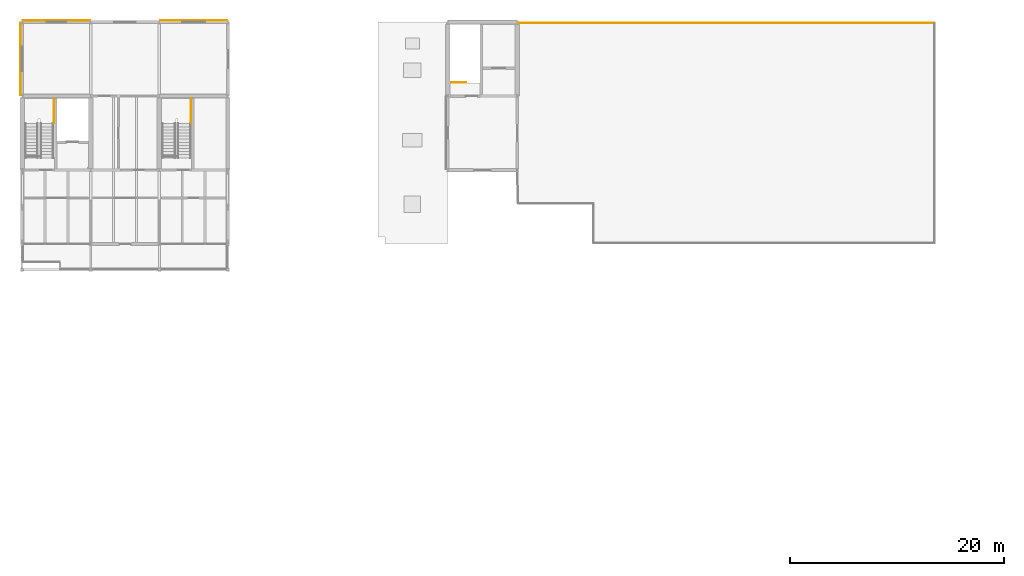
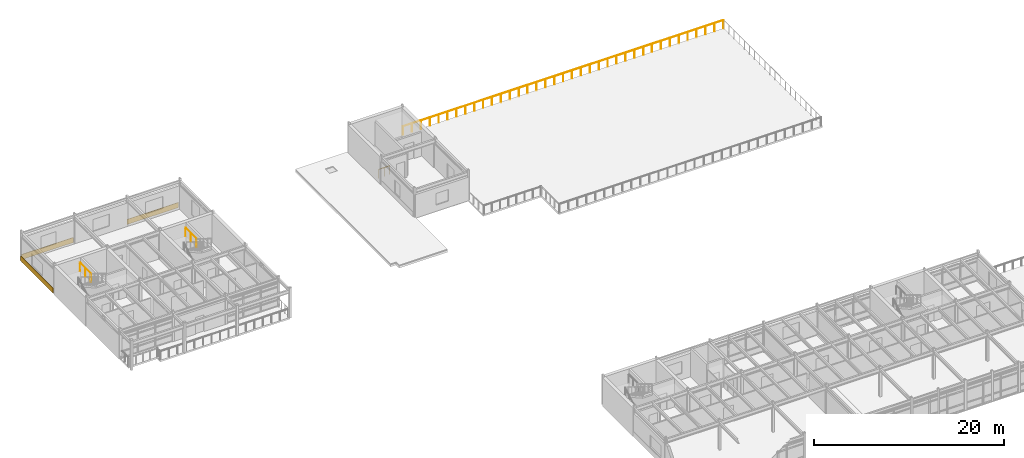
# One storey, part 26 of 26: 4 railings, 3 coverings.
"""IFC4 building model written with IfcOpenShell, lengths in metres."""

from ifc_helpers import new_model, si_unit, direction, frame, origin, origin_2d, place, context, subcontext, project, spatial, rectangle, circle, extrude, material, layer, layer_set, type_object, element, save


model = new_model("IFC4")

# Units and contexts
model_context = context("Model", 3, precision=1e-05, world=origin(), true_north=direction((0.0, 1.0)))
body_context = subcontext(model_context, "Body", "Model", "MODEL_VIEW")
ifc_project = project(units=[si_unit("LENGTHUNIT", "METRE"), si_unit("AREAUNIT", "SQUARE_METRE"), si_unit("VOLUMEUNIT", "CUBIC_METRE"), si_unit("PLANEANGLEUNIT", "RADIAN"), si_unit("MASSUNIT", "GRAM", prefix="KILO")], contexts=[model_context])

# Site, building, storey
site_placement = place(None, origin())
site = spatial("IfcSite", under=ifc_project, at=site_placement, CompositionType="ELEMENT")
building_placement = place(site_placement, origin())
building = spatial("IfcBuilding", under=site, at=building_placement, Name="Trelmorton Wharf Fire Station", CompositionType="ELEMENT")
storey_placement = place(building_placement, frame((0.0, 0.0, 17.39990234375)))
storey = spatial("IfcBuildingStorey", under=building, at=storey_placement, Name="L04", CompositionType="ELEMENT", Elevation=17.39990234375)

# Coverings
ifc_material_1 = material(Name="Architectural terracotta cladding", Category="masonry")
ifc_layer = layer(ifc_material_1, 0.044921875)
ifc_layer_set = layer_set([ifc_layer], Name="Architectural terracotta cladding")
covering_type = type_object("IfcCoveringType", Name="CV_CLAD_TER", PredefinedType="CLADDING", material=ifc_layer_set)
for number, where, z_axis, x_axis, name in (
    (1, (74.0, 81.135009765625, 0.0302734375), (0.0, 0.0, 1.0), (1.0, 0.0, 0.0), "CV-TER-0033"),
    (2, (86.800048828125, 81.1650390625, 0.0302734375), (0.0, 0.0, 1.0), (1.0, 0.0, 0.0), "CV-TER-0034"),
):
    element("IfcCovering", number, at=place(storey_placement, frame(where, z_axis=z_axis, x_axis=x_axis)), inside=storey, type_object=covering_type, Name=name, PredefinedType="CLADDING", context=body_context, shape_type="SweptSolid", body=[
        extrude(rectangle(XDim=6.27001953125, YDim=0.044921875, at=origin_2d()), origin(), (0.0, 0.0, 1.0), 0.659912109375),
    ])
covering_placement = place(storey_placement, frame((70.6650390625, 77.550048828125, 0.0302734375), z_axis=(0.0, 0.0, 1.0), x_axis=(0.0, 1.0, 0.0)))
element("IfcCovering", 3, at=covering_placement, inside=storey, type_object=covering_type, Name="CV-TER-0035", PredefinedType="CLADDING", context=body_context, shape_type="SweptSolid", body=[
    extrude(rectangle(XDim=6.77001953125, YDim=0.044921875, at=origin_2d()), origin(), (0.0, 0.0, 1.0), 0.659912109375),
])

# Railings
ifc_material_2 = material(Name="Signal-red architectural steel Grade 350", Category="steel")
railing_type_1 = type_object("IfcRailingType", Name="RL_BAL_RED", PredefinedType="BALUSTRADE", material=ifc_material_2)
railing_1_placement = place(storey_placement, frame((155.8798828125, 80.919921875, 0.0)))
element("IfcRailing", 4, at=railing_1_placement, inside=storey, type_object=railing_type_1, Name="RL-DECK-L04-091", PredefinedType="BALUSTRADE", context=body_context, shape_type="SweptSolid", body=[
    extrude(circle(Radius=0.02392578125, at=origin_2d()), frame((0.0, 0.0, 1.09619140625), z_axis=(-1.0, 0.0, 0.0), x_axis=(0.0, -1.0, 0.0)), (0.0, 0.0, 1.0), 38.83984375),
    extrude(circle(Radius=0.02099609375, at=origin_2d()), origin(), (0.0, 0.0, 1.0), 1.072021484375),
    extrude(circle(Radius=0.02099609375, at=origin_2d()), frame((-1.078857421875, 0.0, 0.0)), (0.0, 0.0, 1.0), 1.072021484375),
    extrude(circle(Radius=0.02099609375, at=origin_2d()), frame((-2.15771484375, 0.0, 0.0)), (0.0, 0.0, 1.0), 1.072021484375),
    extrude(circle(Radius=0.02099609375, at=origin_2d()), frame((-3.236572265625, 0.0, 0.0)), (0.0, 0.0, 1.0), 1.072021484375),
    extrude(circle(Radius=0.02099609375, at=origin_2d()), frame((-4.3154296875, 0.0, 0.0)), (0.0, 0.0, 1.0), 1.072021484375),
    extrude(circle(Radius=0.02099609375, at=origin_2d()), frame((-5.39453125, 0.0, 0.0)), (0.0, 0.0, 1.0), 1.072021484375),
    extrude(circle(Radius=0.02099609375, at=origin_2d()), frame((-6.473388671875, 0.0, 0.0)), (0.0, 0.0, 1.0), 1.072021484375),
    extrude(circle(Radius=0.02099609375, at=origin_2d()), frame((-7.55224609375, 0.0, 0.0)), (0.0, 0.0, 1.0), 1.072021484375),
    extrude(circle(Radius=0.02099609375, at=origin_2d()), frame((-8.631103515625, 0.0, 0.0)), (0.0, 0.0, 1.0), 1.072021484375),
    extrude(circle(Radius=0.02099609375, at=origin_2d()), frame((-9.7099609375, 0.0, 0.0)), (0.0, 0.0, 1.0), 1.072021484375),
    extrude(circle(Radius=0.02099609375, at=origin_2d()), frame((-10.788818359375, 0.0, 0.0)), (0.0, 0.0, 1.0), 1.072021484375),
    extrude(circle(Radius=0.02099609375, at=origin_2d()), frame((-11.86767578125, 0.0, 0.0)), (0.0, 0.0, 1.0), 1.072021484375),
    extrude(circle(Radius=0.02099609375, at=origin_2d()), frame((-12.946533203125, 0.0, 0.0)), (0.0, 0.0, 1.0), 1.072021484375),
    extrude(circle(Radius=0.02099609375, at=origin_2d()), frame((-14.025390625, 0.0, 0.0)), (0.0, 0.0, 1.0), 1.072021484375),
    extrude(circle(Radius=0.02099609375, at=origin_2d()), frame((-15.1044921875, 0.0, 0.0)), (0.0, 0.0, 1.0), 1.072021484375),
    extrude(circle(Radius=0.02099609375, at=origin_2d()), frame((-16.183349609375, 0.0, 0.0)), (0.0, 0.0, 1.0), 1.072021484375),
    extrude(circle(Radius=0.02099609375, at=origin_2d()), frame((-17.26220703125, 0.0, 0.0)), (0.0, 0.0, 1.0), 1.072021484375),
    extrude(circle(Radius=0.02099609375, at=origin_2d()), frame((-18.341064453125, 0.0, 0.0)), (0.0, 0.0, 1.0), 1.072021484375),
    extrude(circle(Radius=0.02099609375, at=origin_2d()), frame((-19.419921875, 0.0, 0.0)), (0.0, 0.0, 1.0), 1.072021484375),
    extrude(circle(Radius=0.02099609375, at=origin_2d()), frame((-20.498779296875, 0.0, 0.0)), (0.0, 0.0, 1.0), 1.072021484375),
    extrude(circle(Radius=0.02099609375, at=origin_2d()), frame((-21.57763671875, 0.0, 0.0)), (0.0, 0.0, 1.0), 1.072021484375),
    extrude(circle(Radius=0.02099609375, at=origin_2d()), frame((-22.656494140625, 0.0, 0.0)), (0.0, 0.0, 1.0), 1.072021484375),
    extrude(circle(Radius=0.02099609375, at=origin_2d()), frame((-23.7353515625, 0.0, 0.0)), (0.0, 0.0, 1.0), 1.072021484375),
    extrude(circle(Radius=0.02099609375, at=origin_2d()), frame((-24.814453125, 0.0, 0.0)), (0.0, 0.0, 1.0), 1.072021484375),
    extrude(circle(Radius=0.02099609375, at=origin_2d()), frame((-25.893310546875, 0.0, 0.0)), (0.0, 0.0, 1.0), 1.072021484375),
    extrude(circle(Radius=0.02099609375, at=origin_2d()), frame((-26.97216796875, 0.0, 0.0)), (0.0, 0.0, 1.0), 1.072021484375),
    extrude(circle(Radius=0.02099609375, at=origin_2d()), frame((-28.051025390625, 0.0, 0.0)), (0.0, 0.0, 1.0), 1.072021484375),
    extrude(circle(Radius=0.02099609375, at=origin_2d()), frame((-29.1298828125, 0.0, 0.0)), (0.0, 0.0, 1.0), 1.072021484375),
    extrude(circle(Radius=0.02099609375, at=origin_2d()), frame((-30.208740234375, 0.0, 0.0)), (0.0, 0.0, 1.0), 1.072021484375),
    extrude(circle(Radius=0.02099609375, at=origin_2d()), frame((-31.28759765625, 0.0, 0.0)), (0.0, 0.0, 1.0), 1.072021484375),
    extrude(circle(Radius=0.02099609375, at=origin_2d()), frame((-32.366455078125, 0.0, 0.0)), (0.0, 0.0, 1.0), 1.072021484375),
    extrude(circle(Radius=0.02099609375, at=origin_2d()), frame((-33.4453125, 0.0, 0.0)), (0.0, 0.0, 1.0), 1.072021484375),
    extrude(circle(Radius=0.02099609375, at=origin_2d()), frame((-34.5244140625, 0.0, 0.0)), (0.0, 0.0, 1.0), 1.072021484375),
    extrude(circle(Radius=0.02099609375, at=origin_2d()), frame((-35.603271484375, 0.0, 0.0)), (0.0, 0.0, 1.0), 1.072021484375),
    extrude(circle(Radius=0.02099609375, at=origin_2d()), frame((-36.68212890625, 0.0, 0.0)), (0.0, 0.0, 1.0), 1.072021484375),
    extrude(circle(Radius=0.02099609375, at=origin_2d()), frame((-37.760986328125, 0.0, 0.0)), (0.0, 0.0, 1.0), 1.072021484375),
    extrude(circle(Radius=0.02099609375, at=origin_2d()), frame((-38.83984375, 0.0, 0.0)), (0.0, 0.0, 1.0), 1.072021484375),
])
ifc_material_3 = material(Name="Stainless steel 316 marine grade", Category="steel")
railing_type_2 = type_object("IfcRailingType", Name="RL_WELL_1100", PredefinedType="BALUSTRADE", material=ifc_material_3)
for number, where, name in (
    (5, (73.7548828125, 73.85498046875, 1.9501953125), "RL-GW-OUT1-STR-C6-L04-25"),
    (6, (86.554931640625, 73.85498046875, 1.9501953125), "RL-GW-OUT1-STR-C6B-L04-31"),
):
    element("IfcRailing", number, at=place(storey_placement, frame(where)), inside=storey, type_object=railing_type_2, Name=name, PredefinedType="BALUSTRADE", context=body_context, shape_type="SweptSolid", body=[
        extrude(circle(Radius=0.02392578125, at=origin_2d()), frame((0.0, 0.0, 1.09619140625), z_axis=(0.0, -1.0, 0.0), x_axis=(1.0, 0.0, 0.0)), (0.0, 0.0, 1.0), 2.284912109375),
        extrude(circle(Radius=0.02099609375, at=origin_2d()), origin(), (0.0, 0.0, 1.0), 1.072021484375),
        extrude(circle(Radius=0.02099609375, at=origin_2d()), frame((0.0, -1.142578125, 0.0)), (0.0, 0.0, 1.0), 1.072021484375),
        extrude(circle(Radius=0.02099609375, at=origin_2d()), frame((0.0, -2.284912109375, 0.0)), (0.0, 0.0, 1.0), 1.072021484375),
    ])
railing_2_placement = place(storey_placement, frame((110.860107421875, 75.360107421875, 0.0)))
element("IfcRailing", 7, at=railing_2_placement, inside=storey, type_object=railing_type_2, Name="RL-UPWELL-STR-C7-L03-36", PredefinedType="BALUSTRADE", context=body_context, shape_type="SweptSolid", body=[
    extrude(circle(Radius=0.02392578125, at=origin_2d()), frame((0.0, 0.0, 1.09619140625), z_axis=(1.0, 0.0, 0.0), x_axis=(0.0, 1.0, 0.0)), (0.0, 0.0, 1.0), 1.33984375),
    extrude(circle(Radius=0.02099609375, at=origin_2d()), origin(), (0.0, 0.0, 1.0), 1.072021484375),
    extrude(circle(Radius=0.02099609375, at=origin_2d()), frame((0.669921875, 0.0, 0.0)), (0.0, 0.0, 1.0), 1.072021484375),
    extrude(circle(Radius=0.02099609375, at=origin_2d()), frame((1.33984375, 0.0, 0.0)), (0.0, 0.0, 1.0), 1.072021484375),
])

save(model, "model.ifc")
